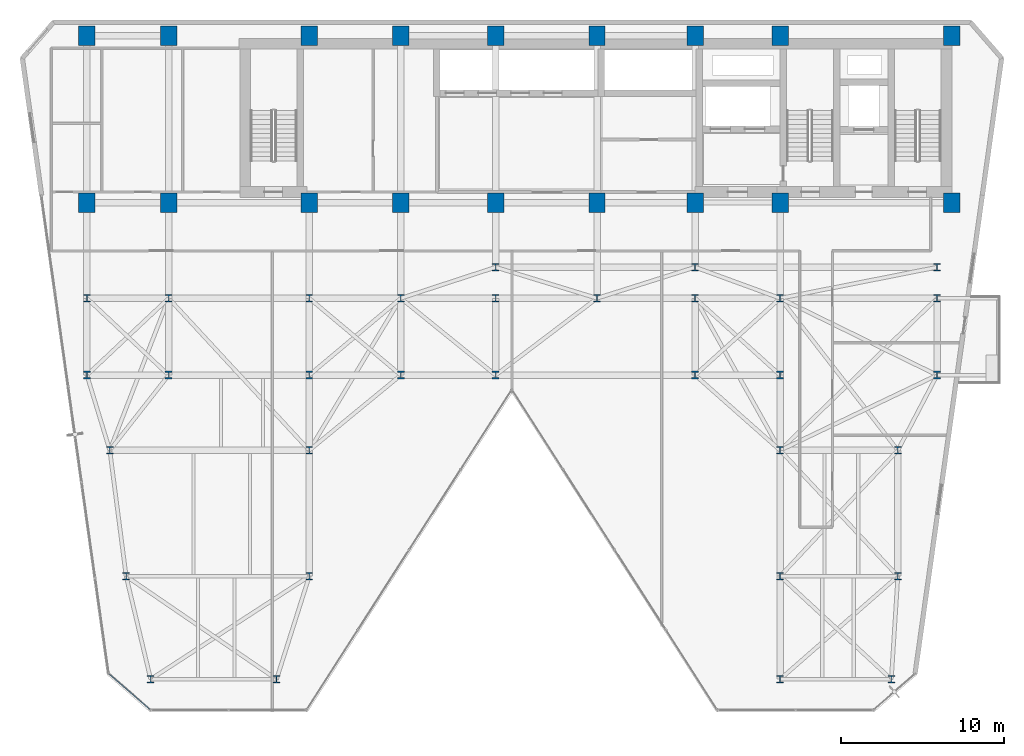
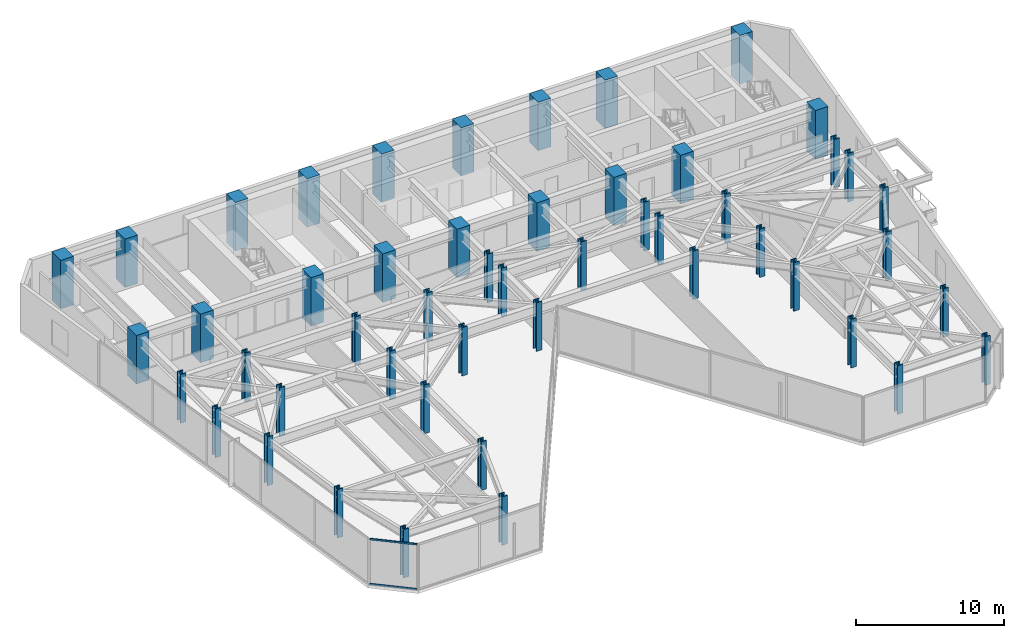
# One storey, part 1 of 26: 50 columns, 2 members, 1 element without a shape of its own.
"""IFC4 building model written with IfcOpenShell, lengths in metres."""

from ifc_helpers import new_model, si_unit, direction, frame, origin, origin_2d, place, context, subcontext, project, spatial, rectangle, hollow_rectangle, i_section, extrude, material, layer, layer_set, material_profile, profile_set, type_object, element, aggregate, save


model = new_model("IFC4")

# Units and contexts
model_context = context("Model", 3, precision=1e-05, world=origin(), true_north=direction((0.0, 1.0)))
body_context = subcontext(model_context, "Body", "Model", "MODEL_VIEW")
ifc_project = project(units=[si_unit("LENGTHUNIT", "METRE"), si_unit("AREAUNIT", "SQUARE_METRE"), si_unit("VOLUMEUNIT", "CUBIC_METRE"), si_unit("PLANEANGLEUNIT", "RADIAN"), si_unit("MASSUNIT", "GRAM", prefix="KILO")], contexts=[model_context])

# Site, building, storey
site_placement = place(None, origin())
site = spatial("IfcSite", under=ifc_project, at=site_placement, CompositionType="ELEMENT")
building_placement = place(site_placement, origin())
building = spatial("IfcBuilding", under=site, at=building_placement, Name="Kravanh Interchange Tower", CompositionType="ELEMENT")
storey_placement = place(building_placement, frame((0.0, 0.0, 108.0)))
storey = spatial("IfcBuildingStorey", under=building, at=storey_placement, Name="L25", CompositionType="ELEMENT", Elevation=108.0)

# Columns
ifc_material_1 = material(Name="Concrete C70/85", Category="concrete")
ifc_material_profile_1 = material_profile(ifc_material_1, rectangle(XDim=1.0, YDim=1.199951171875, at=origin_2d()), Name="RC1000X1200")
ifc_profile_set_1 = profile_set([ifc_material_profile_1], Name="Concrete C70/85")
column_type_1 = type_object("IfcColumnType", Name="Column RC1000X1200 Concrete C70/85", PredefinedType="COLUMN", material=ifc_profile_set_1)
for number, where, z_axis, x_axis, name in (
    (1, (66.5, 47.550048828125, 0.0), (0.0, 0.0, 1.0), (1.0, 0.0, 0.0), "L25 Column CS01"),
    (2, (56.0, 47.550048828125, 0.0), (0.0, 0.0, 1.0), (1.0, 0.0, 0.0), "L25 Column CS02"),
    (3, (66.5, 37.35009765625, 0.0), (0.0, 0.0, 1.0), (1.0, 0.0, 0.0), "L25 Column CS03"),
    (4, (56.0, 37.35009765625, 0.0), (0.0, 0.0, 1.0), (1.0, 0.0, 0.0), "L25 Column CS04"),
    (5, (50.800048828125, 47.550048828125, 0.0), (0.0, 0.0, 1.0), (1.0, 0.0, 0.0), "L25 Column CS05"),
    (6, (50.800048828125, 37.35009765625, 0.0), (0.0, 0.0, 1.0), (1.0, 0.0, 0.0), "L25 Column CS06"),
    (7, (44.800048828125, 37.35009765625, 0.0), (0.0, 0.0, 1.0), (1.0, 0.0, 0.0), "L25 Column CS07"),
    (8, (44.800048828125, 47.550048828125, 0.0), (0.0, 0.0, 1.0), (1.0, 0.0, 0.0), "L25 Column CS08"),
    (9, (38.60009765625, 37.35009765625, 0.0), (0.0, 0.0, 1.0), (1.0, 0.0, 0.0), "L25 Column CS09"),
    (10, (38.60009765625, 47.550048828125, 0.0), (0.0, 0.0, 1.0), (1.0, 0.0, 0.0), "L25 Column CS10"),
    (11, (32.800048828125, 37.35009765625, 0.0), (0.0, 0.0, 1.0), (1.0, 0.0, 0.0), "L25 Column CS11"),
    (12, (32.800048828125, 47.550048828125, 0.0), (0.0, 0.0, 1.0), (1.0, 0.0, 0.0), "L25 Column CS12"),
    (13, (27.199951171875, 37.35009765625, 0.0), (0.0, 0.0, 1.0), (1.0, 0.0, 0.0), "L25 Column CS13"),
    (14, (27.199951171875, 47.550048828125, 0.0), (0.0, 0.0, 1.0), (1.0, 0.0, 0.0), "L25 Column CS14"),
    (15, (18.60009765625, 37.35009765625, 0.0), (0.0, 0.0, 1.0), (1.0, 0.0, 0.0), "L25 Column CS17"),
    (16, (18.60009765625, 47.550048828125, 0.0), (0.0, 0.0, 1.0), (1.0, 0.0, 0.0), "L25 Column CS18"),
    (17, (13.60009765625, 37.35009765625, 0.0), (0.0, 0.0, 1.0), (1.0, 0.0, 0.0), "L25 Column CS19"),
    (18, (13.60009765625, 47.550048828125, 0.0), (0.0, 0.0, 1.0), (1.0, 0.0, 0.0), "L25 Column CS20"),
):
    element("IfcColumn", number, at=place(storey_placement, frame(where, z_axis=z_axis, x_axis=x_axis)), inside=storey, type_object=column_type_1, Name=name, PredefinedType="COLUMN", context=body_context, shape_type="SweptSolid", body=[
        extrude(rectangle(XDim=1.0, YDim=1.199951171875, at=origin_2d()), origin(), (0.0, 0.0, 1.0), 4.0),
    ])
ifc_material_2 = material(Name="Structural Steel S450", Category="steel")
ifc_material_profile_2 = material_profile(ifc_material_2, i_section(OverallWidth=0.424072265625, OverallDepth=0.47412109375, WebThickness=0.047607421875, FlangeThickness=0.0771484375, FilletRadius=0.030029296875, at=origin_2d()), Name="W14X426")
ifc_profile_set_2 = profile_set([ifc_material_profile_2], Name="Structural Steel S450")
column_type_2 = type_object("IfcColumnType", Name="Column W14X426 Structural Steel S450", PredefinedType="COLUMN", material=ifc_profile_set_2)
for number, where, z_axis, x_axis, name in (
    (19, (17.5, 8.199951171875, 0.0), (0.0, 0.0, 1.0), (1.0, 0.0, 0.0), "L25 Column CZ2_1"),
    (20, (13.60009765625, 26.800048828125, 0.0), (0.0, 0.0, 1.0), (1.0, 0.0, 0.0), "L25 Column CZ2_11"),
    (21, (18.60009765625, 26.800048828125, 0.0), (0.0, 0.0, 1.0), (1.0, 0.0, 0.0), "L25 Column CZ2_12"),
    (22, (27.199951171875, 26.800048828125, 0.0), (0.0, 0.0, 1.0), (1.0, 0.0, 0.0), "L25 Column CZ2_13"),
    (23, (32.800048828125, 26.800048828125, 0.0), (0.0, 0.0, 1.0), (1.0, 0.0, 0.0), "L25 Column CZ2_14"),
    (24, (38.60009765625, 26.800048828125, 0.0), (0.0, 0.0, 1.0), (1.0, 0.0, 0.0), "L25 Column CZ2_14B"),
    (25, (50.800048828125, 26.800048828125, 0.0), (0.0, 0.0, 1.0), (1.0, 0.0, 0.0), "L25 Column CZ2_15"),
    (26, (56.0, 26.800048828125, 0.0), (0.0, 0.0, 1.0), (1.0, 0.0, 0.0), "L25 Column CZ2_16"),
    (27, (65.60009765625, 26.800048828125, 0.0), (0.0, 0.0, 1.0), (1.0, 0.0, 0.0), "L25 Column CZ2_17"),
    (28, (13.60009765625, 31.5, 0.0), (0.0, 0.0, 1.0), (1.0, 0.0, 0.0), "L25 Column CZ2_18"),
    (29, (18.60009765625, 31.5, 0.0), (0.0, 0.0, 1.0), (1.0, 0.0, 0.0), "L25 Column CZ2_18B"),
    (30, (27.199951171875, 31.5, 0.0), (0.0, 0.0, 1.0), (1.0, 0.0, 0.0), "L25 Column CZ2_19"),
    (31, (25.199951171875, 8.199951171875, 0.0), (0.0, 0.0, 1.0), (1.0, 0.0, 0.0), "L25 Column CZ2_2"),
    (32, (32.800048828125, 31.5, 0.0), (0.0, 0.0, 1.0), (1.0, 0.0, 0.0), "L25 Column CZ2_20"),
    (33, (38.60009765625, 31.5, 0.0), (0.0, 0.0, 1.0), (1.0, 0.0, 0.0), "L25 Column CZ2_21"),
    (34, (44.800048828125, 31.5, 0.0), (0.0, 0.0, 1.0), (1.0, 0.0, 0.0), "L25 Column CZ2_22"),
    (35, (50.800048828125, 31.5, 0.0), (0.0, 0.0, 1.0), (1.0, 0.0, 0.0), "L25 Column CZ2_23"),
    (36, (56.0, 31.5, 0.0), (0.0, 0.0, 1.0), (1.0, 0.0, 0.0), "L25 Column CZ2_24"),
    (37, (65.60009765625, 31.5, 0.0), (0.0, 0.0, 1.0), (1.0, 0.0, 0.0), "L25 Column CZ2_25"),
    (38, (56.0, 8.199951171875, 0.0), (0.0, 0.0, 1.0), (1.0, 0.0, 0.0), "L25 Column CZ2_3"),
    (39, (62.800048828125, 8.199951171875, 0.0), (0.0, 0.0, 1.0), (1.0, 0.0, 0.0), "L25 Column CZ2_4"),
    (40, (16.0, 14.5, 0.0), (0.0, 0.0, 1.0), (1.0, 0.0, 0.0), "L25 Column CZ2_5"),
    (41, (27.199951171875, 14.5, 0.0), (0.0, 0.0, 1.0), (1.0, 0.0, 0.0), "L25 Column CZ2_5B"),
    (42, (56.0, 14.5, 0.0), (0.0, 0.0, 1.0), (1.0, 0.0, 0.0), "L25 Column CZ2_5C"),
    (43, (63.199951171875, 14.5, 0.0), (0.0, 0.0, 1.0), (1.0, 0.0, 0.0), "L25 Column CZ2_5D"),
    (44, (15.0, 22.199951171875, 0.0), (0.0, 0.0, 1.0), (1.0, 0.0, 0.0), "L25 Column CZ2_6"),
    (45, (27.199951171875, 22.199951171875, 0.0), (0.0, 0.0, 1.0), (1.0, 0.0, 0.0), "L25 Column CZ2_7"),
    (46, (56.0, 22.199951171875, 0.0), (0.0, 0.0, 1.0), (1.0, 0.0, 0.0), "L25 Column CZ2_8"),
    (47, (63.199951171875, 22.199951171875, 0.0), (0.0, 0.0, 1.0), (1.0, 0.0, 0.0), "L25 Column CZ2_9"),
    (48, (38.60009765625, 33.39990234375, 0.0), (0.0, 0.0, 1.0), (1.0, 0.0, 0.0), "L25 Column CZ2_M1"),
    (49, (50.800048828125, 33.39990234375, 0.0), (0.0, 0.0, 1.0), (1.0, 0.0, 0.0), "L25 Column CZ2_M2"),
    (50, (65.60009765625, 33.39990234375, 0.0), (0.0, 0.0, 1.0), (1.0, 0.0, 0.0), "L25 Column CZ2_M3"),
):
    element("IfcColumn", number, at=place(storey_placement, frame(where, z_axis=z_axis, x_axis=x_axis)), inside=storey, type_object=column_type_2, Name=name, PredefinedType="COLUMN", context=body_context, shape_type="SweptSolid", body=[
        extrude(i_section(OverallWidth=0.424072265625, OverallDepth=0.47412109375, WebThickness=0.047607421875, FlangeThickness=0.0771484375, FilletRadius=0.030029296875, at=origin_2d()), origin(), (0.0, 0.0, 1.0), 4.0),
    ])

# Curtain wall, members
ifc_material_3 = material(Name="Anodised Bronze Aluminium", Category="aluminium")
ifc_layer = layer(ifc_material_3, 0.179931640625)
ifc_layer_set = layer_set([ifc_layer], Name="Unitised Curtain Wall System CW-Z2 Mid Office")
curtain_wall_type = type_object("IfcCurtainWallType", Name="Unitised Curtain Wall System CW-Z2 Mid Office", PredefinedType="NOTDEFINED", material=ifc_layer_set)
curtain_wall_placement = place(storey_placement, origin())
curtain_wall = element("IfcCurtainWall", 51, at=curtain_wall_placement, inside=storey, type_object=curtain_wall_type, Name="L25 Unitised Curtain Wall CW-L25-07", PredefinedType="NOTDEFINED")
ifc_material_4 = material(Name="Anodised Bronze Aluminium", Category="aluminium")
ifc_material_profile_3 = material_profile(ifc_material_4, hollow_rectangle(XDim=0.06005859375, YDim=0.139892578125, WallThickness=0.00390625, at=origin_2d()), Name="ALU60X140X4")
ifc_profile_set_3 = profile_set([ifc_material_profile_3], Name="Anodised Bronze Aluminium")
member_type = type_object("IfcMemberType", Name="Curtain Wall Transom ALU60X140X4 Bronze", PredefinedType="USERDEFINED", material=ifc_profile_set_3)
member_1_placement = place(storey_placement, frame((17.444580078125, 6.359375, 0.030029296875), z_axis=(-0.754742467432, 0.656021194669, 0.0), x_axis=(-0.656021194669, -0.754742467432, 0.0)))
member_1 = element("IfcMember", 52, at=member_1_placement, type_object=member_type, Name="CW-Z2 transom 1.1", ObjectType="TRANSOM", PredefinedType="USERDEFINED", context=body_context, shape_type="SweptSolid", body=[
    extrude(hollow_rectangle(XDim=0.06005859375, YDim=0.139892578125, WallThickness=0.00390625, at=origin_2d()), origin(), (0.0, 0.0, 1.0), 3.261962890625),
])
member_2_placement = place(storey_placement, frame((17.444580078125, 6.359375, 3.719970703125), z_axis=(-0.754742467432, 0.656021194669, 0.0), x_axis=(-0.656021194669, -0.754742467432, 0.0)))
member_2 = element("IfcMember", 53, at=member_2_placement, type_object=member_type, Name="CW-Z2 transom 1.2", ObjectType="TRANSOM", PredefinedType="USERDEFINED", context=body_context, shape_type="SweptSolid", body=[
    extrude(hollow_rectangle(XDim=0.06005859375, YDim=0.139892578125, WallThickness=0.00390625, at=origin_2d()), origin(), (0.0, 0.0, 1.0), 3.261962890625),
])
aggregate(curtain_wall, [member_1, member_2])

save(model, "model.ifc")
